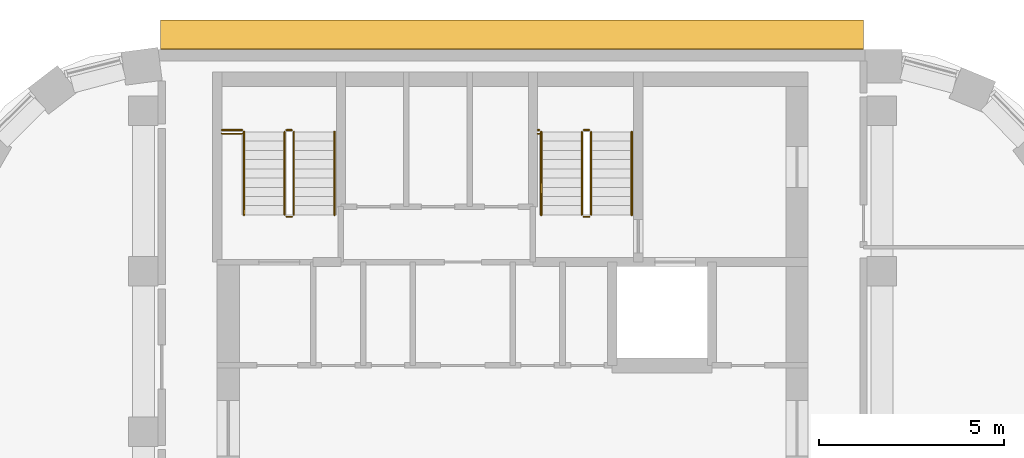
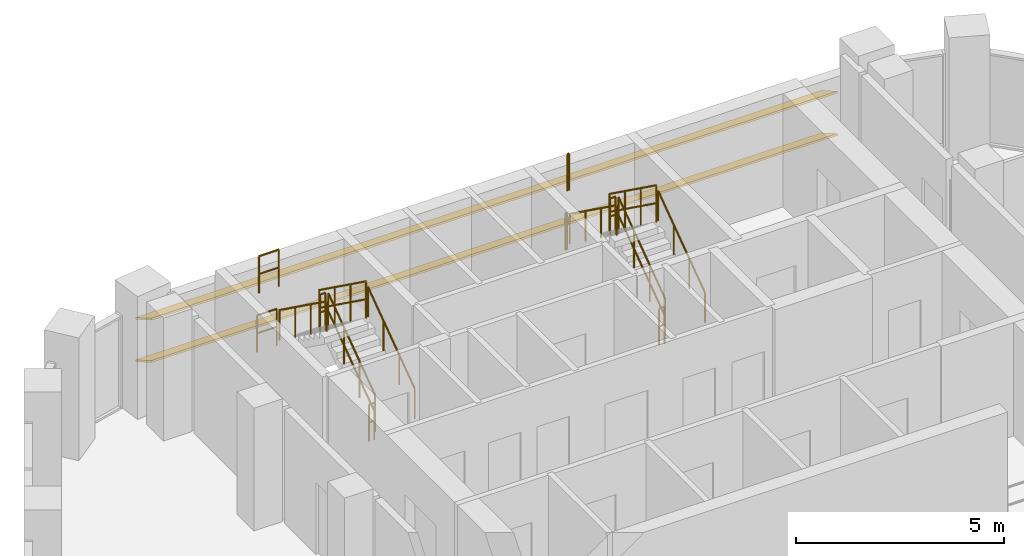
# One storey, part 10 of 10: 16 railings, 2 shading devices.
"""IFC4 building model written with IfcOpenShell, lengths in metres."""

import ifcopenshell
import ifcopenshell.guid

model = None  # the IFC model being written
_history = None  # IfcOwnerHistory: only IFC2X3 demands one
_inside = {}  # id of a spatial element -> (the spatial element, [elements in it])
_under = {}  # id of a project, library or spatial element -> (it, [spatial elements below it])
_declared = {}  # id of a project -> (the project, [libraries it declares])
_typed = {}  # id of a type object -> (the type object, [elements of that type])
_made_of = {}  # id of a material, layer set ... -> (it, [elements and type objects made of it])


def new_model(schema):
    """Start an empty IFC model of exactly this schema.

    Asked for "IFC4X3", IfcOpenShell would pick the latest addendum, in which some entities
    have other attributes; the version numbers below select the first issue.
    IFC2X3 requires an IfcOwnerHistory on every rooted entity: one is made here for all.
    """
    global model, _history
    if schema == "IFC4X3":
        model = ifcopenshell.file(schema_version=(4, 3, 0, 0))
    else:
        model = ifcopenshell.file(schema=schema)
    _inside.clear()
    _under.clear()
    _declared.clear()
    _typed.clear()
    _made_of.clear()
    _history = None
    if model.schema == "IFC2X3":
        org = make("IfcOrganization", Name="unknown")
        user = make(
            "IfcPersonAndOrganization",
            ThePerson=make("IfcPerson", FamilyName="unknown"),
            TheOrganization=org,
        )
        app = make(
            "IfcApplication",
            ApplicationDeveloper=org,
            Version="unknown",
            ApplicationFullName="unknown",
            ApplicationIdentifier="unknown",
        )
        _history = make(
            "IfcOwnerHistory",
            OwningUser=user,
            OwningApplication=app,
            ChangeAction="ADDED",
            CreationDate=0,
        )
    return model


def make(cls, **values):
    """One entity of the class cls with the attributes given. An attribute that is None is left unset."""
    return model.create_entity(
        cls, **{name: value for name, value in values.items() if value is not None}
    )


def rooted(cls, **values):
    """An entity with a GlobalId (a new one), such as an element, a storey or a relation."""
    return make(cls, GlobalId=ifcopenshell.guid.new(), OwnerHistory=_history, **values)


def si_unit(unit_type, name, prefix=None):
    """IfcSIUnit, for example si_unit("LENGTHUNIT", "METRE", prefix="MILLI")."""
    return make("IfcSIUnit", UnitType=unit_type, Prefix=prefix, Name=name)


def assignment(units):
    """IfcUnitAssignment: the units of a project."""
    return None if units is None else make("IfcUnitAssignment", Units=units)


def point(xyz):
    """IfcCartesianPoint."""
    return None if xyz is None else make("IfcCartesianPoint", Coordinates=xyz)


def direction(xyz):
    """IfcDirection."""
    return None if xyz is None else make("IfcDirection", DirectionRatios=xyz)


def frame(location, z_axis=None, x_axis=None):
    """IfcAxis2Placement3D, a coordinate frame: its origin and axes. An axis left out is left unset."""
    return make(
        "IfcAxis2Placement3D",
        Location=point(location),
        Axis=direction(z_axis),
        RefDirection=direction(x_axis),
    )


def frame_2d(location, x_axis=None):
    """IfcAxis2Placement2D, a coordinate frame in the plane: its origin and x axis."""
    return make(
        "IfcAxis2Placement2D", Location=point(location), RefDirection=direction(x_axis)
    )


def origin():
    """The frame at (0, 0, 0) with its axes left unset."""
    return frame((0.0, 0.0, 0.0))


def origin_2d():
    """The frame at (0, 0) in the plane with its x axis left unset."""
    return frame_2d((0.0, 0.0))


def place(relative_to, where):
    """IfcLocalPlacement: puts the frame where relative to a parent placement (None: the world)."""
    return make(
        "IfcLocalPlacement", PlacementRelTo=relative_to, RelativePlacement=where
    )


def context(
    kind, dimensions, precision=None, world=None, true_north=None, identifier=None
):
    """IfcGeometricRepresentationContext, for example the 3D "Model" context."""
    return make(
        "IfcGeometricRepresentationContext",
        ContextIdentifier=identifier,
        ContextType=kind,
        CoordinateSpaceDimension=dimensions,
        Precision=precision,
        WorldCoordinateSystem=world,
        TrueNorth=true_north,
    )


def subcontext(parent, identifier, kind, view, scale=None):
    """IfcGeometricRepresentationSubContext, for example "Body" below "Model"."""
    return make(
        "IfcGeometricRepresentationSubContext",
        ContextIdentifier=identifier,
        ContextType=kind,
        ParentContext=parent,
        TargetScale=scale,
        TargetView=view,
    )


def project(units=None, contexts=None):
    """IfcProject with its units and contexts."""
    return rooted(
        "IfcProject",
        Name="project",
        RepresentationContexts=contexts,
        UnitsInContext=assignment(units),
    )


def spatial(cls, under=None, at=None, **own):
    """A site, building, storey or space (cls), placed at a placement, below another one or the project."""
    s = rooted(cls, ObjectPlacement=at, **own)
    if under is not None:
        _under.setdefault(under.id(), (under, []))[1].append(s)
    return s


def profile(cls, at=None, kind="AREA", **sizes):
    """A parametric profile (cls). Its sizes go by their IFC names, for example OverallWidth=200.0."""
    return make(cls, ProfileType=kind, Position=at, **sizes)


def rectangle(**sizes):
    """IfcRectangleProfileDef."""
    return profile("IfcRectangleProfileDef", **sizes)


def circle(**sizes):
    """IfcCircleProfileDef."""
    return profile("IfcCircleProfileDef", **sizes)


def extrude(swept, where, along, depth):
    """IfcExtrudedAreaSolid: the profile swept, set in the frame where, extruded along a direction by depth."""
    return make(
        "IfcExtrudedAreaSolid",
        SweptArea=swept,
        Position=where,
        ExtrudedDirection=direction(along),
        Depth=depth,
    )


def shape(context_of_items, identifier, shape_type, items):
    """IfcShapeRepresentation: the items that make up one representation, for example the "Body"."""
    return make(
        "IfcShapeRepresentation",
        ContextOfItems=context_of_items,
        RepresentationIdentifier=identifier,
        RepresentationType=shape_type,
        Items=items,
    )


def material(Name=None, Category=None):
    """IfcMaterial."""
    return make("IfcMaterial", Name=Name, Category=Category)


def material_profile(
    of_material, cross_section, Name=None, Category=None, Priority=None
):
    """IfcMaterialProfile: a cross section and its material."""
    return make(
        "IfcMaterialProfile",
        Name=Name,
        Material=of_material,
        Profile=cross_section,
        Priority=Priority,
        Category=Category,
    )


def profile_set(profiles, Name=None, composite=None):
    """IfcMaterialProfileSet."""
    return make(
        "IfcMaterialProfileSet",
        Name=Name,
        MaterialProfiles=profiles,
        CompositeProfile=composite,
    )


def made_of(thing, what):
    """Note that an element or type object is made of a material, layer set ...; save() writes the relation."""
    if what is not None:
        _made_of.setdefault(what.id(), (what, []))[1].append(thing)
    return thing


def type_object(cls, material=None, **own):
    """A type object (cls), such as IfcWallType, which elements share."""
    return made_of(rooted(cls, **own), material)


def element(
    cls,
    number,
    at=None,
    inside=None,
    cuts=None,
    type_object=None,
    material=None,
    context=None,
    identifier="Body",
    shape_type=None,
    held_by="IfcProductDefinitionShape",
    body=None,
    shapes=None,
    **own,
):
    """One element of the class cls, such as IfcWall. Its Tag is "e" and its number.

    at: its placement. inside: the storey or other place that contains it. cuts: it is an
    opening in that element (IfcRelVoidsElement). A single representation is given by context,
    identifier, shape_type and body (its items); several are given by shapes. held_by: the class
    of the entity that holds the representations. save() writes the other relations.
    """
    e = rooted(cls, Tag="e%d" % number, ObjectPlacement=at, **own)
    if body is not None:
        shapes = [shape(context, identifier, shape_type, body)]
    if shapes is not None:
        e.Representation = make(held_by, Representations=shapes)
    if inside is not None:
        _inside.setdefault(inside.id(), (inside, []))[1].append(e)
    if cuts is not None:
        rooted(
            "IfcRelVoidsElement", RelatingBuildingElement=cuts, RelatedOpeningElement=e
        )
    if type_object is not None:
        _typed.setdefault(type_object.id(), (type_object, []))[1].append(e)
    return made_of(e, material)


def aggregate(whole, parts):
    """IfcRelAggregates: a whole, such as a stair, and the parts it consists of."""
    return rooted("IfcRelAggregates", RelatingObject=whole, RelatedObjects=parts)


def save(model, path):
    """Write the relations noted so far, then the file.

    IfcRelAggregates (storeys below a building ...), IfcRelContainedInSpatialStructure (elements
    in a storey), IfcRelDefinesByType, IfcRelAssociatesMaterial and IfcRelDeclares: one each for
    every whole, place, type object, material and project.
    """
    for whole, parts in _under.values():
        aggregate(whole, parts)
    for where, things in _inside.values():
        rooted(
            "IfcRelContainedInSpatialStructure",
            RelatedElements=things,
            RelatingStructure=where,
        )
    for kind, things in _typed.values():
        rooted("IfcRelDefinesByType", RelatedObjects=things, RelatingType=kind)
    for what, things in _made_of.values():
        rooted("IfcRelAssociatesMaterial", RelatedObjects=things, RelatingMaterial=what)
    for by, libraries in _declared.values():
        rooted("IfcRelDeclares", RelatingContext=by, RelatedDefinitions=libraries)
    model.write(path)


model = new_model("IFC4")

# Units and contexts
model_context = context("Model", 3, precision=1e-05, world=origin(), true_north=direction((0.0, 1.0)))
body_context = subcontext(model_context, "Body", "Model", "MODEL_VIEW")
ifc_project = project(units=[si_unit("LENGTHUNIT", "METRE"), si_unit("AREAUNIT", "SQUARE_METRE"), si_unit("VOLUMEUNIT", "CUBIC_METRE"), si_unit("PLANEANGLEUNIT", "RADIAN"), si_unit("MASSUNIT", "GRAM", prefix="KILO")], contexts=[model_context])

# Site, building, storey
site_placement = place(None, origin())
site = spatial("IfcSite", under=ifc_project, at=site_placement, CompositionType="ELEMENT")
building_placement = place(site_placement, origin())
building = spatial("IfcBuilding", under=site, at=building_placement, Name="Nakaniwa Court", CompositionType="ELEMENT")
storey_placement = place(building_placement, frame((0.0, 0.0, 290.39990234375)))
storey = spatial("IfcBuildingStorey", under=building, at=storey_placement, Name="C06", CompositionType="ELEMENT", Elevation=290.39990234375)

# Shading devices
ifc_material_1 = material(Name="Perforated charcoal ceramic louvre blade")
ifc_material_profile = material_profile(ifc_material_1, rectangle(XDim=0.89990234375, YDim=0.050048828125, at=origin_2d()), Name="Perforated ceramic louvre blade")
ifc_profile_set = profile_set([ifc_material_profile], Name="Perforated charcoal ceramic louvre blade")
shading_device_type = type_object("IfcShadingDeviceType", Name="Perforated ceramic louvre blade", PredefinedType="JALOUSIE", material=ifc_profile_set)
for number, where, z_axis, x_axis, name in (
    (1, (89.499267578125, 103.05224609375, 0.550048828125), (-1.0, 0.0, 0.0), (0.0, -0.866025403784, 0.5), "C06 perforated ceramic louvre blade w09 1"),
    (2, (89.499267578125, 103.05224609375, 1.79345703125), (-1.0, 0.0, 0.0), (0.0, -0.866025403784, 0.5), "C06 perforated ceramic louvre blade w09 2"),
):
    element("IfcShadingDevice", number, at=place(storey_placement, frame(where, z_axis=z_axis, x_axis=x_axis)), inside=storey, type_object=shading_device_type, Name=name, PredefinedType="JALOUSIE", context=body_context, shape_type="SweptSolid", body=[
        extrude(rectangle(XDim=0.89990234375, YDim=0.050048828125, at=origin_2d()), origin(), (0.0, 0.0, 1.0), 19.03369140625),
    ])

# Railings
ifc_material_2 = material(Name="Black powder coated steel guard", Category="steel")
railing_type_1 = type_object("IfcRailingType", Name="Stair guard 1100", PredefinedType="GUARDRAIL", material=ifc_material_2)
railing_1_placement = place(storey_placement, frame((74.074951171875, 98.175048828125, 0.18017578125)))
element("IfcRailing", 3, at=railing_1_placement, inside=storey, type_object=railing_type_1, Name="C06 ST1 stair guard 1", PredefinedType="GUARDRAIL", context=body_context, shape_type="SweptSolid", body=[
    extrude(circle(Radius=0.02392578125, at=origin_2d()), frame((0.0, 0.0, 1.076171875), z_axis=(0.0, 0.811556054185, 0.58427456809), x_axis=(-1.0, 0.0, 0.0)), (0.0, 0.0, 1.0), 2.7724609375),
    extrude(circle(Radius=0.02392578125, at=origin_2d()), frame((0.0, 0.0, 0.550048828125), z_axis=(0.0, 0.811556054185, 0.58427456809), x_axis=(-1.0, 0.0, 0.0)), (0.0, 0.0, 1.0), 2.7724609375),
    extrude(circle(Radius=0.02099609375, at=origin_2d()), origin(), (0.0, 0.0, 1.0), 1.052001953125),
    extrude(circle(Radius=0.02099609375, at=origin_2d()), frame((0.0, 0.75, 0.5400390625)), (0.0, 0.0, 1.0), 1.052001953125),
    extrude(circle(Radius=0.02099609375, at=origin_2d()), frame((0.0, 1.5, 1.079833984375)), (0.0, 0.0, 1.0), 1.052001953125),
    extrude(circle(Radius=0.02099609375, at=origin_2d()), frame((0.0, 2.25, 1.619873046875)), (0.0, 0.0, 1.0), 1.052001953125),
])
railing_2_placement = place(storey_placement, frame((74.02490234375, 100.47509765625, 1.800048828125)))
element("IfcRailing", 4, at=railing_2_placement, inside=storey, type_object=railing_type_1, Name="C06 ST1 stair guard 2", PredefinedType="GUARDRAIL", context=body_context, shape_type="SweptSolid", body=[
    extrude(circle(Radius=0.02392578125, at=origin_2d()), frame((0.0, 0.0, 1.076171875), z_axis=(-1.0, 0.0, 0.0), x_axis=(0.0, -1.0, 0.0)), (0.0, 0.0, 1.0), 0.14990234375),
    extrude(circle(Radius=0.02392578125, at=origin_2d()), frame((0.0, 0.0, 0.550048828125), z_axis=(-1.0, 0.0, 0.0), x_axis=(0.0, -1.0, 0.0)), (0.0, 0.0, 1.0), 0.14990234375),
    extrude(circle(Radius=0.02099609375, at=origin_2d()), origin(), (0.0, 0.0, 1.0), 1.052001953125),
    extrude(circle(Radius=0.02099609375, at=origin_2d()), frame((-0.14990234375, 0.0, 0.0)), (0.0, 0.0, 1.0), 1.052001953125),
])
railing_3_placement = place(storey_placement, frame((73.824951171875, 100.425048828125, 1.97998046875)))
element("IfcRailing", 5, at=railing_3_placement, inside=storey, type_object=railing_type_1, Name="C06 ST1 stair guard 3", PredefinedType="GUARDRAIL", context=body_context, shape_type="SweptSolid", body=[
    extrude(circle(Radius=0.02392578125, at=origin_2d()), frame((0.0, 0.0, 1.076171875), z_axis=(0.0, -0.811514298965, 0.584332561625), x_axis=(1.0, 0.0, 0.0)), (0.0, 0.0, 1.0), 2.772705078125),
    extrude(circle(Radius=0.02392578125, at=origin_2d()), frame((0.0, 0.0, 0.550048828125), z_axis=(0.0, -0.811514298965, 0.584332561625), x_axis=(1.0, 0.0, 0.0)), (0.0, 0.0, 1.0), 2.772705078125),
    extrude(circle(Radius=0.02099609375, at=origin_2d()), origin(), (0.0, 0.0, 1.0), 1.052001953125),
    extrude(circle(Radius=0.02099609375, at=origin_2d()), frame((0.0, -0.75, 0.5400390625)), (0.0, 0.0, 1.0), 1.052001953125),
    extrude(circle(Radius=0.02099609375, at=origin_2d()), frame((0.0, -1.5, 1.080078125)), (0.0, 0.0, 1.0), 1.052001953125),
    extrude(circle(Radius=0.02099609375, at=origin_2d()), frame((0.0, -2.25, 1.6201171875)), (0.0, 0.0, 1.0), 1.052001953125),
])
railing_4_placement = place(storey_placement, frame((74.02490234375, 98.125, 0.0)))
element("IfcRailing", 6, at=railing_4_placement, inside=storey, type_object=railing_type_1, Name="C06 ST1 stair guard 4", PredefinedType="GUARDRAIL", context=body_context, shape_type="SweptSolid", body=[
    extrude(circle(Radius=0.02392578125, at=origin_2d()), frame((0.0, 0.0, 1.076171875), z_axis=(-1.0, 0.0, 0.0), x_axis=(0.0, -1.0, 0.0)), (0.0, 0.0, 1.0), 0.14990234375),
    extrude(circle(Radius=0.02392578125, at=origin_2d()), frame((0.0, 0.0, 0.550048828125), z_axis=(-1.0, 0.0, 0.0), x_axis=(0.0, -1.0, 0.0)), (0.0, 0.0, 1.0), 0.14990234375),
    extrude(circle(Radius=0.02099609375, at=origin_2d()), origin(), (0.0, 0.0, 1.0), 1.052001953125),
    extrude(circle(Radius=0.02099609375, at=origin_2d()), frame((-0.14990234375, 0.0, 0.0)), (0.0, 0.0, 1.0), 1.052001953125),
])
for number, where, name in (
    (7, (72.125, 100.47509765625, 1.800048828125), "C06 ST1 landing side guard 1W"),
    (8, (72.125, 100.375, 3.60009765625), "C06 ST1 floor edge guard 1W"),
):
    element("IfcRailing", number, at=place(storey_placement, frame(where)), inside=storey, type_object=railing_type_1, Name=name, PredefinedType="GUARDRAIL", context=body_context, shape_type="SweptSolid", body=[
        extrude(circle(Radius=0.02392578125, at=origin_2d()), frame((0.0, 0.0, 1.076171875), z_axis=(1.0, 0.0, 0.0), x_axis=(0.0, 1.0, 0.0)), (0.0, 0.0, 1.0), 0.550048828125),
        extrude(circle(Radius=0.02392578125, at=origin_2d()), frame((0.0, 0.0, 0.550048828125), z_axis=(1.0, 0.0, 0.0), x_axis=(0.0, 1.0, 0.0)), (0.0, 0.0, 1.0), 0.550048828125),
        extrude(circle(Radius=0.02099609375, at=origin_2d()), origin(), (0.0, 0.0, 1.0), 1.052001953125),
        extrude(circle(Radius=0.02099609375, at=origin_2d()), frame((0.550048828125, 0.0, 0.0)), (0.0, 0.0, 1.0), 1.052001953125),
    ])
railing_5_placement = place(storey_placement, frame((82.125, 98.175048828125, 0.18017578125)))
element("IfcRailing", 9, at=railing_5_placement, inside=storey, type_object=railing_type_1, Name="C06 ST2 stair guard 1", PredefinedType="GUARDRAIL", context=body_context, shape_type="SweptSolid", body=[
    extrude(circle(Radius=0.02392578125, at=origin_2d()), frame((0.0, 0.0, 1.076171875), z_axis=(0.0, 0.811556054185, 0.58427456809), x_axis=(-1.0, 0.0, 0.0)), (0.0, 0.0, 1.0), 2.7724609375),
    extrude(circle(Radius=0.02392578125, at=origin_2d()), frame((0.0, 0.0, 0.550048828125), z_axis=(0.0, 0.811556054185, 0.58427456809), x_axis=(-1.0, 0.0, 0.0)), (0.0, 0.0, 1.0), 2.7724609375),
    extrude(circle(Radius=0.02099609375, at=origin_2d()), origin(), (0.0, 0.0, 1.0), 1.052001953125),
    extrude(circle(Radius=0.02099609375, at=origin_2d()), frame((0.0, 0.75, 0.5400390625)), (0.0, 0.0, 1.0), 1.052001953125),
    extrude(circle(Radius=0.02099609375, at=origin_2d()), frame((0.0, 1.5, 1.079833984375)), (0.0, 0.0, 1.0), 1.052001953125),
    extrude(circle(Radius=0.02099609375, at=origin_2d()), frame((0.0, 2.25, 1.619873046875)), (0.0, 0.0, 1.0), 1.052001953125),
])
railing_6_placement = place(storey_placement, frame((82.074951171875, 100.47509765625, 1.800048828125)))
element("IfcRailing", 10, at=railing_6_placement, inside=storey, type_object=railing_type_1, Name="C06 ST2 stair guard 2", PredefinedType="GUARDRAIL", context=body_context, shape_type="SweptSolid", body=[
    extrude(circle(Radius=0.02392578125, at=origin_2d()), frame((0.0, 0.0, 1.076171875), z_axis=(-1.0, 0.0, 0.0), x_axis=(0.0, -1.0, 0.0)), (0.0, 0.0, 1.0), 0.14990234375),
    extrude(circle(Radius=0.02392578125, at=origin_2d()), frame((0.0, 0.0, 0.550048828125), z_axis=(-1.0, 0.0, 0.0), x_axis=(0.0, -1.0, 0.0)), (0.0, 0.0, 1.0), 0.14990234375),
    extrude(circle(Radius=0.02099609375, at=origin_2d()), origin(), (0.0, 0.0, 1.0), 1.052001953125),
    extrude(circle(Radius=0.02099609375, at=origin_2d()), frame((-0.14990234375, 0.0, 0.0)), (0.0, 0.0, 1.0), 1.052001953125),
])
railing_7_placement = place(storey_placement, frame((81.875, 100.425048828125, 1.97998046875)))
element("IfcRailing", 11, at=railing_7_placement, inside=storey, type_object=railing_type_1, Name="C06 ST2 stair guard 3", PredefinedType="GUARDRAIL", context=body_context, shape_type="SweptSolid", body=[
    extrude(circle(Radius=0.02392578125, at=origin_2d()), frame((0.0, 0.0, 1.076171875), z_axis=(0.0, -0.811514298965, 0.584332561625), x_axis=(1.0, 0.0, 0.0)), (0.0, 0.0, 1.0), 2.772705078125),
    extrude(circle(Radius=0.02392578125, at=origin_2d()), frame((0.0, 0.0, 0.550048828125), z_axis=(0.0, -0.811514298965, 0.584332561625), x_axis=(1.0, 0.0, 0.0)), (0.0, 0.0, 1.0), 2.772705078125),
    extrude(circle(Radius=0.02099609375, at=origin_2d()), origin(), (0.0, 0.0, 1.0), 1.052001953125),
    extrude(circle(Radius=0.02099609375, at=origin_2d()), frame((0.0, -0.75, 0.5400390625)), (0.0, 0.0, 1.0), 1.052001953125),
    extrude(circle(Radius=0.02099609375, at=origin_2d()), frame((0.0, -1.5, 1.080078125)), (0.0, 0.0, 1.0), 1.052001953125),
    extrude(circle(Radius=0.02099609375, at=origin_2d()), frame((0.0, -2.25, 1.6201171875)), (0.0, 0.0, 1.0), 1.052001953125),
])
railing_8_placement = place(storey_placement, frame((82.074951171875, 98.125, 0.0)))
element("IfcRailing", 12, at=railing_8_placement, inside=storey, type_object=railing_type_1, Name="C06 ST2 stair guard 4", PredefinedType="GUARDRAIL", context=body_context, shape_type="SweptSolid", body=[
    extrude(circle(Radius=0.02392578125, at=origin_2d()), frame((0.0, 0.0, 1.076171875), z_axis=(-1.0, 0.0, 0.0), x_axis=(0.0, -1.0, 0.0)), (0.0, 0.0, 1.0), 0.14990234375),
    extrude(circle(Radius=0.02392578125, at=origin_2d()), frame((0.0, 0.0, 0.550048828125), z_axis=(-1.0, 0.0, 0.0), x_axis=(0.0, -1.0, 0.0)), (0.0, 0.0, 1.0), 0.14990234375),
    extrude(circle(Radius=0.02099609375, at=origin_2d()), origin(), (0.0, 0.0, 1.0), 1.052001953125),
    extrude(circle(Radius=0.02099609375, at=origin_2d()), frame((-0.14990234375, 0.0, 0.0)), (0.0, 0.0, 1.0), 1.052001953125),
])
for number, where, name in (
    (13, (80.675048828125, 100.47509765625, 1.800048828125), "C06 ST2 landing side guard 1W"),
    (14, (80.675048828125, 100.375, 3.60009765625), "C06 ST2 floor edge guard 1W"),
):
    element("IfcRailing", number, at=place(storey_placement, frame(where)), inside=storey, type_object=railing_type_1, Name=name, PredefinedType="GUARDRAIL", context=body_context, shape_type="SweptSolid", body=[
        extrude(circle(Radius=0.02392578125, at=origin_2d()), frame((0.0, 0.0, 1.076171875), z_axis=(1.0, 0.0, 0.0), x_axis=(0.0, 1.0, 0.0)), (0.0, 0.0, 1.0), 0.050048828125),
        extrude(circle(Radius=0.02392578125, at=origin_2d()), frame((0.0, 0.0, 0.550048828125), z_axis=(1.0, 0.0, 0.0), x_axis=(0.0, 1.0, 0.0)), (0.0, 0.0, 1.0), 0.050048828125),
        extrude(circle(Radius=0.02099609375, at=origin_2d()), origin(), (0.0, 0.0, 1.0), 1.052001953125),
        extrude(circle(Radius=0.02099609375, at=origin_2d()), frame((0.050048828125, 0.0, 0.0)), (0.0, 0.0, 1.0), 1.052001953125),
    ])
ifc_material_3 = material(Name="Black powder coated steel handrail", Category="steel")
railing_type_2 = type_object("IfcRailingType", Name="Stair handrail 900", PredefinedType="HANDRAIL", material=ifc_material_3)
railing_9_placement = place(storey_placement, frame((75.175048828125, 98.175048828125, 0.18017578125)))
element("IfcRailing", 15, at=railing_9_placement, inside=storey, type_object=railing_type_2, Name="C06 ST1 stair handrail 1", PredefinedType="HANDRAIL", context=body_context, shape_type="SweptSolid", body=[
    extrude(circle(Radius=0.02392578125, at=origin_2d()), frame((0.0, 0.0, 0.8759765625), z_axis=(0.0, 0.811556054185, 0.58427456809), x_axis=(-1.0, 0.0, 0.0)), (0.0, 0.0, 1.0), 2.7724609375),
    extrude(circle(Radius=0.02099609375, at=origin_2d()), origin(), (0.0, 0.0, 1.0), 0.851806640625),
    extrude(circle(Radius=0.02099609375, at=origin_2d()), frame((0.0, 0.75, 0.5400390625)), (0.0, 0.0, 1.0), 0.851806640625),
    extrude(circle(Radius=0.02099609375, at=origin_2d()), frame((0.0, 1.5, 1.079833984375)), (0.0, 0.0, 1.0), 0.851806640625),
    extrude(circle(Radius=0.02099609375, at=origin_2d()), frame((0.0, 2.25, 1.619873046875)), (0.0, 0.0, 1.0), 0.851806640625),
])
railing_10_placement = place(storey_placement, frame((72.72509765625, 100.425048828125, 1.97998046875)))
element("IfcRailing", 16, at=railing_10_placement, inside=storey, type_object=railing_type_2, Name="C06 ST1 stair handrail 2", PredefinedType="HANDRAIL", context=body_context, shape_type="SweptSolid", body=[
    extrude(circle(Radius=0.02392578125, at=origin_2d()), frame((0.0, 0.0, 0.8759765625), z_axis=(0.0, -0.811514298965, 0.584332561625), x_axis=(1.0, 0.0, 0.0)), (0.0, 0.0, 1.0), 2.772705078125),
    extrude(circle(Radius=0.02099609375, at=origin_2d()), origin(), (0.0, 0.0, 1.0), 0.851806640625),
    extrude(circle(Radius=0.02099609375, at=origin_2d()), frame((0.0, -0.75, 0.5400390625)), (0.0, 0.0, 1.0), 0.851806640625),
    extrude(circle(Radius=0.02099609375, at=origin_2d()), frame((0.0, -1.5, 1.080078125)), (0.0, 0.0, 1.0), 0.851806640625),
    extrude(circle(Radius=0.02099609375, at=origin_2d()), frame((0.0, -2.25, 1.6201171875)), (0.0, 0.0, 1.0), 0.851806640625),
])
railing_11_placement = place(storey_placement, frame((83.22509765625, 98.175048828125, 0.18017578125)))
element("IfcRailing", 17, at=railing_11_placement, inside=storey, type_object=railing_type_2, Name="C06 ST2 stair handrail 1", PredefinedType="HANDRAIL", context=body_context, shape_type="SweptSolid", body=[
    extrude(circle(Radius=0.02392578125, at=origin_2d()), frame((0.0, 0.0, 0.8759765625), z_axis=(0.0, 0.811556054185, 0.58427456809), x_axis=(-1.0, 0.0, 0.0)), (0.0, 0.0, 1.0), 2.7724609375),
    extrude(circle(Radius=0.02099609375, at=origin_2d()), origin(), (0.0, 0.0, 1.0), 0.851806640625),
    extrude(circle(Radius=0.02099609375, at=origin_2d()), frame((0.0, 0.75, 0.5400390625)), (0.0, 0.0, 1.0), 0.851806640625),
    extrude(circle(Radius=0.02099609375, at=origin_2d()), frame((0.0, 1.5, 1.079833984375)), (0.0, 0.0, 1.0), 0.851806640625),
    extrude(circle(Radius=0.02099609375, at=origin_2d()), frame((0.0, 2.25, 1.619873046875)), (0.0, 0.0, 1.0), 0.851806640625),
])
railing_12_placement = place(storey_placement, frame((80.77490234375, 100.425048828125, 1.97998046875)))
element("IfcRailing", 18, at=railing_12_placement, inside=storey, type_object=railing_type_2, Name="C06 ST2 stair handrail 2", PredefinedType="HANDRAIL", context=body_context, shape_type="SweptSolid", body=[
    extrude(circle(Radius=0.02392578125, at=origin_2d()), frame((0.0, 0.0, 0.8759765625), z_axis=(0.0, -0.811514298965, 0.584332561625), x_axis=(1.0, 0.0, 0.0)), (0.0, 0.0, 1.0), 2.772705078125),
    extrude(circle(Radius=0.02099609375, at=origin_2d()), origin(), (0.0, 0.0, 1.0), 0.851806640625),
    extrude(circle(Radius=0.02099609375, at=origin_2d()), frame((0.0, -0.75, 0.5400390625)), (0.0, 0.0, 1.0), 0.851806640625),
    extrude(circle(Radius=0.02099609375, at=origin_2d()), frame((0.0, -1.5, 1.080078125)), (0.0, 0.0, 1.0), 0.851806640625),
    extrude(circle(Radius=0.02099609375, at=origin_2d()), frame((0.0, -2.25, 1.6201171875)), (0.0, 0.0, 1.0), 0.851806640625),
])

save(model, "model.ifc")
